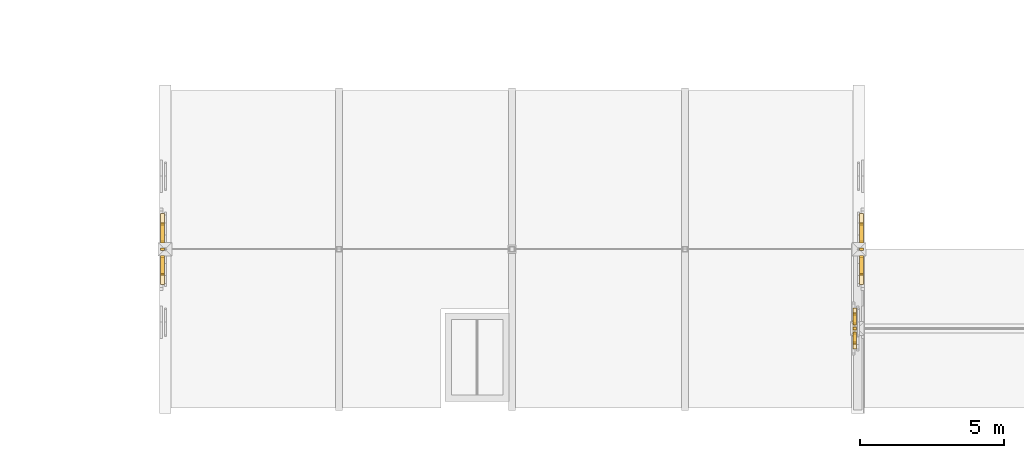
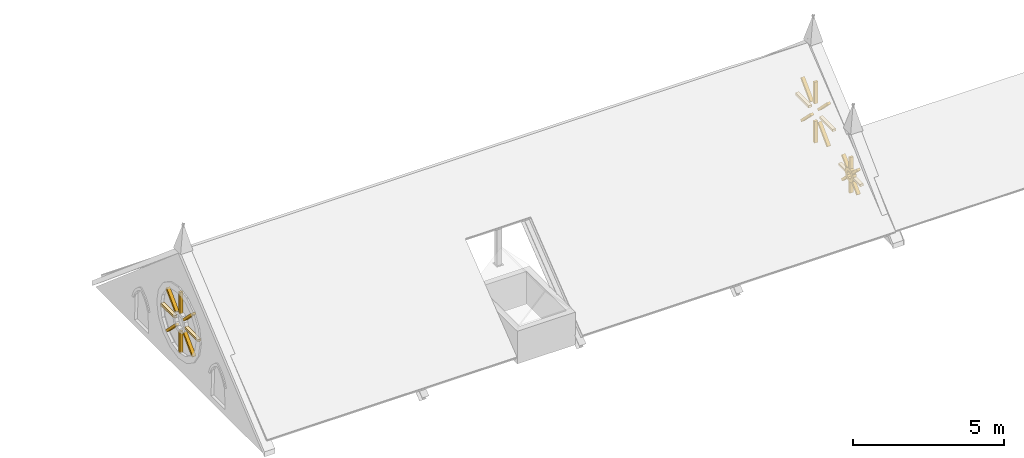
# One storey, part 106 of 108: 25 coverings.
"""IFC4 building model written with IfcOpenShell, lengths in metres."""

import ifcopenshell
import ifcopenshell.guid

model = None  # the IFC model being written
_history = None  # IfcOwnerHistory: only IFC2X3 demands one
_inside = {}  # id of a spatial element -> (the spatial element, [elements in it])
_under = {}  # id of a project, library or spatial element -> (it, [spatial elements below it])
_declared = {}  # id of a project -> (the project, [libraries it declares])
_typed = {}  # id of a type object -> (the type object, [elements of that type])
_made_of = {}  # id of a material, layer set ... -> (it, [elements and type objects made of it])


def new_model(schema):
    """Start an empty IFC model of exactly this schema.

    Asked for "IFC4X3", IfcOpenShell would pick the latest addendum, in which some entities
    have other attributes; the version numbers below select the first issue.
    IFC2X3 requires an IfcOwnerHistory on every rooted entity: one is made here for all.
    """
    global model, _history
    if schema == "IFC4X3":
        model = ifcopenshell.file(schema_version=(4, 3, 0, 0))
    else:
        model = ifcopenshell.file(schema=schema)
    _inside.clear()
    _under.clear()
    _declared.clear()
    _typed.clear()
    _made_of.clear()
    _history = None
    if model.schema == "IFC2X3":
        org = make("IfcOrganization", Name="unknown")
        user = make(
            "IfcPersonAndOrganization",
            ThePerson=make("IfcPerson", FamilyName="unknown"),
            TheOrganization=org,
        )
        app = make(
            "IfcApplication",
            ApplicationDeveloper=org,
            Version="unknown",
            ApplicationFullName="unknown",
            ApplicationIdentifier="unknown",
        )
        _history = make(
            "IfcOwnerHistory",
            OwningUser=user,
            OwningApplication=app,
            ChangeAction="ADDED",
            CreationDate=0,
        )
    return model


def make(cls, **values):
    """One entity of the class cls with the attributes given. An attribute that is None is left unset."""
    return model.create_entity(
        cls, **{name: value for name, value in values.items() if value is not None}
    )


def rooted(cls, **values):
    """An entity with a GlobalId (a new one), such as an element, a storey or a relation."""
    return make(cls, GlobalId=ifcopenshell.guid.new(), OwnerHistory=_history, **values)


def si_unit(unit_type, name, prefix=None):
    """IfcSIUnit, for example si_unit("LENGTHUNIT", "METRE", prefix="MILLI")."""
    return make("IfcSIUnit", UnitType=unit_type, Prefix=prefix, Name=name)


def assignment(units):
    """IfcUnitAssignment: the units of a project."""
    return None if units is None else make("IfcUnitAssignment", Units=units)


def point(xyz):
    """IfcCartesianPoint."""
    return None if xyz is None else make("IfcCartesianPoint", Coordinates=xyz)


def direction(xyz):
    """IfcDirection."""
    return None if xyz is None else make("IfcDirection", DirectionRatios=xyz)


def frame(location, z_axis=None, x_axis=None):
    """IfcAxis2Placement3D, a coordinate frame: its origin and axes. An axis left out is left unset."""
    return make(
        "IfcAxis2Placement3D",
        Location=point(location),
        Axis=direction(z_axis),
        RefDirection=direction(x_axis),
    )


def origin():
    """The frame at (0, 0, 0) with its axes left unset."""
    return frame((0.0, 0.0, 0.0))


def place(relative_to, where):
    """IfcLocalPlacement: puts the frame where relative to a parent placement (None: the world)."""
    return make(
        "IfcLocalPlacement", PlacementRelTo=relative_to, RelativePlacement=where
    )


def context(
    kind, dimensions, precision=None, world=None, true_north=None, identifier=None
):
    """IfcGeometricRepresentationContext, for example the 3D "Model" context."""
    return make(
        "IfcGeometricRepresentationContext",
        ContextIdentifier=identifier,
        ContextType=kind,
        CoordinateSpaceDimension=dimensions,
        Precision=precision,
        WorldCoordinateSystem=world,
        TrueNorth=true_north,
    )


def subcontext(parent, identifier, kind, view, scale=None):
    """IfcGeometricRepresentationSubContext, for example "Body" below "Model"."""
    return make(
        "IfcGeometricRepresentationSubContext",
        ContextIdentifier=identifier,
        ContextType=kind,
        ParentContext=parent,
        TargetScale=scale,
        TargetView=view,
    )


def project(units=None, contexts=None):
    """IfcProject with its units and contexts."""
    return rooted(
        "IfcProject",
        Name="project",
        RepresentationContexts=contexts,
        UnitsInContext=assignment(units),
    )


def spatial(cls, under=None, at=None, **own):
    """A site, building, storey or space (cls), placed at a placement, below another one or the project."""
    s = rooted(cls, ObjectPlacement=at, **own)
    if under is not None:
        _under.setdefault(under.id(), (under, []))[1].append(s)
    return s


def polyline(points):
    """IfcPolyline through the points."""
    return make("IfcPolyline", Points=[point(p) for p in points])


def outline(outer, holes=None, kind="AREA"):
    """IfcArbitraryClosedProfileDef: a profile drawn as a closed curve; with holes, ...WithVoids."""
    if holes is None:
        return make("IfcArbitraryClosedProfileDef", ProfileType=kind, OuterCurve=outer)
    return make(
        "IfcArbitraryProfileDefWithVoids",
        ProfileType=kind,
        OuterCurve=outer,
        InnerCurves=holes,
    )


def extrude(swept, where, along, depth):
    """IfcExtrudedAreaSolid: the profile swept, set in the frame where, extruded along a direction by depth."""
    return make(
        "IfcExtrudedAreaSolid",
        SweptArea=swept,
        Position=where,
        ExtrudedDirection=direction(along),
        Depth=depth,
    )


def shape(context_of_items, identifier, shape_type, items):
    """IfcShapeRepresentation: the items that make up one representation, for example the "Body"."""
    return make(
        "IfcShapeRepresentation",
        ContextOfItems=context_of_items,
        RepresentationIdentifier=identifier,
        RepresentationType=shape_type,
        Items=items,
    )


def material(Name=None, Category=None):
    """IfcMaterial."""
    return make("IfcMaterial", Name=Name, Category=Category)


def made_of(thing, what):
    """Note that an element or type object is made of a material, layer set ...; save() writes the relation."""
    if what is not None:
        _made_of.setdefault(what.id(), (what, []))[1].append(thing)
    return thing


def type_object(cls, material=None, **own):
    """A type object (cls), such as IfcWallType, which elements share."""
    return made_of(rooted(cls, **own), material)


def element(
    cls,
    number,
    at=None,
    inside=None,
    cuts=None,
    type_object=None,
    material=None,
    context=None,
    identifier="Body",
    shape_type=None,
    held_by="IfcProductDefinitionShape",
    body=None,
    shapes=None,
    **own,
):
    """One element of the class cls, such as IfcWall. Its Tag is "e" and its number.

    at: its placement. inside: the storey or other place that contains it. cuts: it is an
    opening in that element (IfcRelVoidsElement). A single representation is given by context,
    identifier, shape_type and body (its items); several are given by shapes. held_by: the class
    of the entity that holds the representations. save() writes the other relations.
    """
    e = rooted(cls, Tag="e%d" % number, ObjectPlacement=at, **own)
    if body is not None:
        shapes = [shape(context, identifier, shape_type, body)]
    if shapes is not None:
        e.Representation = make(held_by, Representations=shapes)
    if inside is not None:
        _inside.setdefault(inside.id(), (inside, []))[1].append(e)
    if cuts is not None:
        rooted(
            "IfcRelVoidsElement", RelatingBuildingElement=cuts, RelatedOpeningElement=e
        )
    if type_object is not None:
        _typed.setdefault(type_object.id(), (type_object, []))[1].append(e)
    return made_of(e, material)


def aggregate(whole, parts):
    """IfcRelAggregates: a whole, such as a stair, and the parts it consists of."""
    return rooted("IfcRelAggregates", RelatingObject=whole, RelatedObjects=parts)


def save(model, path):
    """Write the relations noted so far, then the file.

    IfcRelAggregates (storeys below a building ...), IfcRelContainedInSpatialStructure (elements
    in a storey), IfcRelDefinesByType, IfcRelAssociatesMaterial and IfcRelDeclares: one each for
    every whole, place, type object, material and project.
    """
    for whole, parts in _under.values():
        aggregate(whole, parts)
    for where, things in _inside.values():
        rooted(
            "IfcRelContainedInSpatialStructure",
            RelatedElements=things,
            RelatingStructure=where,
        )
    for kind, things in _typed.values():
        rooted("IfcRelDefinesByType", RelatedObjects=things, RelatingType=kind)
    for what, things in _made_of.values():
        rooted("IfcRelAssociatesMaterial", RelatedObjects=things, RelatingMaterial=what)
    for by, libraries in _declared.values():
        rooted("IfcRelDeclares", RelatingContext=by, RelatedDefinitions=libraries)
    model.write(path)


model = new_model("IFC4")

# Units and contexts
model_context = context("Model", 3, precision=1e-05, world=origin(), true_north=direction((0.0, 1.0)))
body_context = subcontext(model_context, "Body", "Model", "MODEL_VIEW")
ifc_project = project(units=[si_unit("LENGTHUNIT", "METRE"), si_unit("AREAUNIT", "SQUARE_METRE"), si_unit("VOLUMEUNIT", "CUBIC_METRE"), si_unit("PLANEANGLEUNIT", "RADIAN"), si_unit("MASSUNIT", "GRAM", prefix="KILO")], contexts=[model_context])

# Site, building, storey
site_placement = place(None, origin())
site = spatial("IfcSite", under=ifc_project, at=site_placement, CompositionType="ELEMENT")
building_placement = place(site_placement, origin())
building = spatial("IfcBuilding", under=site, at=building_placement, Name="Cumevento Cable Car Station", CompositionType="ELEMENT")
storey_placement = place(building_placement, frame((0.0, 0.0, 13.5)))
storey = spatial("IfcBuildingStorey", under=building, at=storey_placement, Name="L04", CompositionType="ELEMENT", Elevation=13.5)

# Coverings
ifc_material = material(Name="Gnaisse Facoidal Stone Ashlar 85 MPa", Category="masonry")
covering_type = type_object("IfcCoveringType", Name="Gnaisse Ashlar Cladding CV-CL01", PredefinedType="CLADDING", material=ifc_material)
placement_1 = place(storey_placement, frame((22.0, 4.0, 0.0), z_axis=(0.0, 0.0, 1.0), x_axis=(0.0, 1.0, 0.0)))
element("IfcCovering", 1, at=placement_1, inside=storey, type_object=covering_type, Name="Gothic Rose Stone Tracery Mullion wing_B_V1a_W #1", PredefinedType="CLADDING", context=body_context, shape_type="SweptSolid", body=[
    extrude(outline(polyline([(5.85498046875, 1.943359375), (6.72998046875, 1.943359375), (6.72998046875, 1.853271484375), (5.85498046875, 1.853271484375), (5.85498046875, 1.943359375)])), frame((0.0, 0.18505859375, 0.0), z_axis=(0.0, -1.0, 0.0), x_axis=(1.0, 0.0, 0.0)), (0.0, 0.0, 1.0), 0.1298828125),
])
element("IfcCovering", 2, at=placement_1, inside=storey, type_object=covering_type, Name="Gothic Rose Stone Tracery Mullion wing_B_V1a_W #2", PredefinedType="CLADDING", context=body_context, shape_type="SweptSolid", body=[
    extrude(outline(polyline([(5.71923828125, 2.18115234375), (6.337890625, 2.800048828125), (6.401611328125, 2.736328125), (5.782958984375, 2.117431640625), (5.71923828125, 2.18115234375)])), frame((0.0, 0.18505859375, 0.0), z_axis=(0.0, -1.0, 0.0), x_axis=(1.0, 0.0, 0.0)), (0.0, 0.0, 1.0), 0.1298828125),
])
element("IfcCovering", 3, at=placement_1, inside=storey, type_object=covering_type, Name="Gothic Rose Stone Tracery Mullion wing_B_V1a_W #3", PredefinedType="CLADDING", context=body_context, shape_type="SweptSolid", body=[
    extrude(outline(polyline([(5.455078125, 2.25341796875), (5.455078125, 3.12841796875), (5.544921875, 3.12841796875), (5.544921875, 2.25341796875), (5.455078125, 2.25341796875)])), frame((0.0, 0.18505859375, 0.0), z_axis=(0.0, -1.0, 0.0), x_axis=(1.0, 0.0, 0.0)), (0.0, 0.0, 1.0), 0.1298828125),
])
element("IfcCovering", 4, at=placement_1, inside=storey, type_object=covering_type, Name="Gothic Rose Stone Tracery Mullion wing_B_V1a_W #4", PredefinedType="CLADDING", context=body_context, shape_type="SweptSolid", body=[
    extrude(outline(polyline([(5.217041015625, 2.117431640625), (4.598388671875, 2.736328125), (4.662109375, 2.800048828125), (5.28076171875, 2.18115234375), (5.217041015625, 2.117431640625)])), frame((0.0, 0.18505859375, 0.0), z_axis=(0.0, -1.0, 0.0), x_axis=(1.0, 0.0, 0.0)), (0.0, 0.0, 1.0), 0.1298828125),
])
element("IfcCovering", 5, at=placement_1, inside=storey, type_object=covering_type, Name="Gothic Rose Stone Tracery Mullion wing_B_V1a_W #5", PredefinedType="CLADDING", context=body_context, shape_type="SweptSolid", body=[
    extrude(outline(polyline([(5.14501953125, 1.853271484375), (4.27001953125, 1.853271484375), (4.27001953125, 1.943359375), (5.14501953125, 1.943359375), (5.14501953125, 1.853271484375)])), frame((0.0, 0.18505859375, 0.0), z_axis=(0.0, -1.0, 0.0), x_axis=(1.0, 0.0, 0.0)), (0.0, 0.0, 1.0), 0.1298828125),
])
element("IfcCovering", 6, at=placement_1, inside=storey, type_object=covering_type, Name="Gothic Rose Stone Tracery Mullion wing_B_V1a_W #6", PredefinedType="CLADDING", context=body_context, shape_type="SweptSolid", body=[
    extrude(outline(polyline([(5.28076171875, 1.615478515625), (4.662109375, 0.99658203125), (4.598388671875, 1.060302734375), (5.217041015625, 1.67919921875), (5.28076171875, 1.615478515625)])), frame((0.0, 0.18505859375, 0.0), z_axis=(0.0, -1.0, 0.0), x_axis=(1.0, 0.0, 0.0)), (0.0, 0.0, 1.0), 0.1298828125),
])
element("IfcCovering", 7, at=placement_1, inside=storey, type_object=covering_type, Name="Gothic Rose Stone Tracery Mullion wing_B_V1a_W #7", PredefinedType="CLADDING", context=body_context, shape_type="SweptSolid", body=[
    extrude(outline(polyline([(5.544921875, 1.543212890625), (5.544921875, 0.668212890625), (5.455078125, 0.668212890625), (5.455078125, 1.543212890625), (5.544921875, 1.543212890625)])), frame((0.0, 0.18505859375, 0.0), z_axis=(0.0, -1.0, 0.0), x_axis=(1.0, 0.0, 0.0)), (0.0, 0.0, 1.0), 0.1298828125),
])
element("IfcCovering", 8, at=placement_1, inside=storey, type_object=covering_type, Name="Gothic Rose Stone Tracery Mullion wing_B_V1a_W #8", PredefinedType="CLADDING", context=body_context, shape_type="SweptSolid", body=[
    extrude(outline(polyline([(5.782958984375, 1.67919921875), (6.401611328125, 1.060302734375), (6.337890625, 0.99658203125), (5.71923828125, 1.615478515625), (5.782958984375, 1.67919921875)])), frame((0.0, 0.18505859375, 0.0), z_axis=(0.0, -1.0, 0.0), x_axis=(1.0, 0.0, 0.0)), (0.0, 0.0, 1.0), 0.1298828125),
])
placement_2 = place(storey_placement, frame((46.0, 15.0, 0.0), z_axis=(0.0, 0.0, 1.0), x_axis=(0.0, -1.0, 0.0)))
element("IfcCovering", 9, at=placement_2, inside=storey, type_object=covering_type, Name="Gothic Rose Stone Tracery Mullion wing_B_V1a_E #1", PredefinedType="CLADDING", context=body_context, shape_type="SweptSolid", body=[
    extrude(outline(polyline([(5.85498046875, 1.943359375), (6.72998046875, 1.943359375), (6.72998046875, 1.853271484375), (5.85498046875, 1.853271484375), (5.85498046875, 1.943359375)])), frame((0.0, 0.18505859375, 0.0), z_axis=(0.0, -1.0, 0.0), x_axis=(1.0, 0.0, 0.0)), (0.0, 0.0, 1.0), 0.1298828125),
])
element("IfcCovering", 10, at=placement_2, inside=storey, type_object=covering_type, Name="Gothic Rose Stone Tracery Mullion wing_B_V1a_E #2", PredefinedType="CLADDING", context=body_context, shape_type="SweptSolid", body=[
    extrude(outline(polyline([(5.71923828125, 2.18115234375), (6.337890625, 2.800048828125), (6.401611328125, 2.736328125), (5.782958984375, 2.117431640625), (5.71923828125, 2.18115234375)])), frame((0.0, 0.18505859375, 0.0), z_axis=(0.0, -1.0, 0.0), x_axis=(1.0, 0.0, 0.0)), (0.0, 0.0, 1.0), 0.1298828125),
])
element("IfcCovering", 11, at=placement_2, inside=storey, type_object=covering_type, Name="Gothic Rose Stone Tracery Mullion wing_B_V1a_E #3", PredefinedType="CLADDING", context=body_context, shape_type="SweptSolid", body=[
    extrude(outline(polyline([(5.455078125, 2.25341796875), (5.455078125, 3.12841796875), (5.544921875, 3.12841796875), (5.544921875, 2.25341796875), (5.455078125, 2.25341796875)])), frame((0.0, 0.18505859375, 0.0), z_axis=(0.0, -1.0, 0.0), x_axis=(1.0, 0.0, 0.0)), (0.0, 0.0, 1.0), 0.1298828125),
])
element("IfcCovering", 12, at=placement_2, inside=storey, type_object=covering_type, Name="Gothic Rose Stone Tracery Mullion wing_B_V1a_E #4", PredefinedType="CLADDING", context=body_context, shape_type="SweptSolid", body=[
    extrude(outline(polyline([(5.217041015625, 2.117431640625), (4.598388671875, 2.736328125), (4.662109375, 2.800048828125), (5.28076171875, 2.18115234375), (5.217041015625, 2.117431640625)])), frame((0.0, 0.18505859375, 0.0), z_axis=(0.0, -1.0, 0.0), x_axis=(1.0, 0.0, 0.0)), (0.0, 0.0, 1.0), 0.1298828125),
])
element("IfcCovering", 13, at=placement_2, inside=storey, type_object=covering_type, Name="Gothic Rose Stone Tracery Mullion wing_B_V1a_E #5", PredefinedType="CLADDING", context=body_context, shape_type="SweptSolid", body=[
    extrude(outline(polyline([(5.14501953125, 1.853271484375), (4.27001953125, 1.853271484375), (4.27001953125, 1.943359375), (5.14501953125, 1.943359375), (5.14501953125, 1.853271484375)])), frame((0.0, 0.18505859375, 0.0), z_axis=(0.0, -1.0, 0.0), x_axis=(1.0, 0.0, 0.0)), (0.0, 0.0, 1.0), 0.1298828125),
])
element("IfcCovering", 14, at=placement_2, inside=storey, type_object=covering_type, Name="Gothic Rose Stone Tracery Mullion wing_B_V1a_E #6", PredefinedType="CLADDING", context=body_context, shape_type="SweptSolid", body=[
    extrude(outline(polyline([(5.28076171875, 1.615478515625), (4.662109375, 0.99658203125), (4.598388671875, 1.060302734375), (5.217041015625, 1.67919921875), (5.28076171875, 1.615478515625)])), frame((0.0, 0.18505859375, 0.0), z_axis=(0.0, -1.0, 0.0), x_axis=(1.0, 0.0, 0.0)), (0.0, 0.0, 1.0), 0.1298828125),
])
element("IfcCovering", 15, at=placement_2, inside=storey, type_object=covering_type, Name="Gothic Rose Stone Tracery Mullion wing_B_V1a_E #7", PredefinedType="CLADDING", context=body_context, shape_type="SweptSolid", body=[
    extrude(outline(polyline([(5.544921875, 1.543212890625), (5.544921875, 0.668212890625), (5.455078125, 0.668212890625), (5.455078125, 1.543212890625), (5.544921875, 1.543212890625)])), frame((0.0, 0.18505859375, 0.0), z_axis=(0.0, -1.0, 0.0), x_axis=(1.0, 0.0, 0.0)), (0.0, 0.0, 1.0), 0.1298828125),
])
element("IfcCovering", 16, at=placement_2, inside=storey, type_object=covering_type, Name="Gothic Rose Stone Tracery Mullion wing_B_V1a_E #8", PredefinedType="CLADDING", context=body_context, shape_type="SweptSolid", body=[
    extrude(outline(polyline([(5.782958984375, 1.67919921875), (6.401611328125, 1.060302734375), (6.337890625, 0.99658203125), (5.71923828125, 1.615478515625), (5.782958984375, 1.67919921875)])), frame((0.0, 0.18505859375, 0.0), z_axis=(0.0, -1.0, 0.0), x_axis=(1.0, 0.0, 0.0)), (0.0, 0.0, 1.0), 0.1298828125),
])
placement_3 = place(storey_placement, frame((46.0, 4.0, 0.0), z_axis=(0.0, 0.0, 1.0), x_axis=(0.0, 1.0, 0.0)))
element("IfcCovering", 17, at=placement_3, inside=storey, type_object=covering_type, Name="Gothic Rose Central Stone Oculus Hub wing_B_V1b_W", PredefinedType="CLADDING", context=body_context, shape_type="SweptSolid", body=[
    extrude(outline(polyline([(3.021484375, 1.119384765625), (2.985107421875, 1.255126953125), (2.8857421875, 1.3544921875), (2.75, 1.390869140625), (2.6142578125, 1.3544921875), (2.514892578125, 1.255126953125), (2.478515625, 1.119384765625), (2.514892578125, 0.9833984375), (2.6142578125, 0.884033203125), (2.75, 0.84765625), (2.8857421875, 0.884033203125), (2.985107421875, 0.9833984375), (3.021484375, 1.119384765625)]), holes=[polyline([(2.901611328125, 1.119384765625), (2.88134765625, 1.195068359375), (2.82568359375, 1.25048828125), (2.75, 1.27099609375), (2.67431640625, 1.25048828125), (2.61865234375, 1.195068359375), (2.598388671875, 1.119384765625), (2.61865234375, 1.04345703125), (2.67431640625, 0.988037109375), (2.75, 0.9677734375), (2.82568359375, 0.988037109375), (2.88134765625, 1.04345703125), (2.901611328125, 1.119384765625)])]), frame((0.0, 0.18994140625, 0.0), z_axis=(0.0, -1.0, 0.0), x_axis=(1.0, 0.0, 0.0)), (0.0, 0.0, 1.0), 0.139892578125),
])
element("IfcCovering", 18, at=placement_3, inside=storey, type_object=covering_type, Name="Gothic Rose Stone Tracery Mullion wing_B_V1b_W #1", PredefinedType="CLADDING", context=body_context, shape_type="SweptSolid", body=[
    extrude(outline(polyline([(2.9716796875, 1.164306640625), (3.467041015625, 1.164306640625), (3.467041015625, 1.07421875), (2.9716796875, 1.07421875), (2.9716796875, 1.164306640625)])), frame((0.0, 0.18505859375, 0.0), z_axis=(0.0, -1.0, 0.0), x_axis=(1.0, 0.0, 0.0)), (0.0, 0.0, 1.0), 0.1298828125),
])
element("IfcCovering", 19, at=placement_3, inside=storey, type_object=covering_type, Name="Gothic Rose Stone Tracery Mullion wing_B_V1b_W #2", PredefinedType="CLADDING", context=body_context, shape_type="SweptSolid", body=[
    extrude(outline(polyline([(2.874755859375, 1.307861328125), (3.225341796875, 1.658203125), (3.288818359375, 1.594482421875), (2.9384765625, 1.244140625), (2.874755859375, 1.307861328125)])), frame((0.0, 0.18505859375, 0.0), z_axis=(0.0, -1.0, 0.0), x_axis=(1.0, 0.0, 0.0)), (0.0, 0.0, 1.0), 0.1298828125),
])
element("IfcCovering", 20, at=placement_3, inside=storey, type_object=covering_type, Name="Gothic Rose Stone Tracery Mullion wing_B_V1b_W #3", PredefinedType="CLADDING", context=body_context, shape_type="SweptSolid", body=[
    extrude(outline(polyline([(2.705078125, 1.3408203125), (2.705078125, 1.83642578125), (2.794921875, 1.83642578125), (2.794921875, 1.3408203125), (2.705078125, 1.3408203125)])), frame((0.0, 0.18505859375, 0.0), z_axis=(0.0, -1.0, 0.0), x_axis=(1.0, 0.0, 0.0)), (0.0, 0.0, 1.0), 0.1298828125),
])
element("IfcCovering", 21, at=placement_3, inside=storey, type_object=covering_type, Name="Gothic Rose Stone Tracery Mullion wing_B_V1b_W #4", PredefinedType="CLADDING", context=body_context, shape_type="SweptSolid", body=[
    extrude(outline(polyline([(2.5615234375, 1.244140625), (2.211181640625, 1.594482421875), (2.274658203125, 1.658203125), (2.625244140625, 1.307861328125), (2.5615234375, 1.244140625)])), frame((0.0, 0.18505859375, 0.0), z_axis=(0.0, -1.0, 0.0), x_axis=(1.0, 0.0, 0.0)), (0.0, 0.0, 1.0), 0.1298828125),
])
element("IfcCovering", 22, at=placement_3, inside=storey, type_object=covering_type, Name="Gothic Rose Stone Tracery Mullion wing_B_V1b_W #5", PredefinedType="CLADDING", context=body_context, shape_type="SweptSolid", body=[
    extrude(outline(polyline([(2.5283203125, 1.07421875), (2.032958984375, 1.07421875), (2.032958984375, 1.164306640625), (2.5283203125, 1.164306640625), (2.5283203125, 1.07421875)])), frame((0.0, 0.18505859375, 0.0), z_axis=(0.0, -1.0, 0.0), x_axis=(1.0, 0.0, 0.0)), (0.0, 0.0, 1.0), 0.1298828125),
])
element("IfcCovering", 23, at=placement_3, inside=storey, type_object=covering_type, Name="Gothic Rose Stone Tracery Mullion wing_B_V1b_W #6", PredefinedType="CLADDING", context=body_context, shape_type="SweptSolid", body=[
    extrude(outline(polyline([(2.625244140625, 0.9306640625), (2.274658203125, 0.580322265625), (2.211181640625, 0.64404296875), (2.5615234375, 0.994384765625), (2.625244140625, 0.9306640625)])), frame((0.0, 0.18505859375, 0.0), z_axis=(0.0, -1.0, 0.0), x_axis=(1.0, 0.0, 0.0)), (0.0, 0.0, 1.0), 0.1298828125),
])
element("IfcCovering", 24, at=placement_3, inside=storey, type_object=covering_type, Name="Gothic Rose Stone Tracery Mullion wing_B_V1b_W #7", PredefinedType="CLADDING", context=body_context, shape_type="SweptSolid", body=[
    extrude(outline(polyline([(2.794921875, 0.897705078125), (2.794921875, 0.402099609375), (2.705078125, 0.402099609375), (2.705078125, 0.897705078125), (2.794921875, 0.897705078125)])), frame((0.0, 0.18505859375, 0.0), z_axis=(0.0, -1.0, 0.0), x_axis=(1.0, 0.0, 0.0)), (0.0, 0.0, 1.0), 0.1298828125),
])
element("IfcCovering", 25, at=placement_3, inside=storey, type_object=covering_type, Name="Gothic Rose Stone Tracery Mullion wing_B_V1b_W #8", PredefinedType="CLADDING", context=body_context, shape_type="SweptSolid", body=[
    extrude(outline(polyline([(2.9384765625, 0.994384765625), (3.288818359375, 0.64404296875), (3.225341796875, 0.580322265625), (2.874755859375, 0.9306640625), (2.9384765625, 0.994384765625)])), frame((0.0, 0.18505859375, 0.0), z_axis=(0.0, -1.0, 0.0), x_axis=(1.0, 0.0, 0.0)), (0.0, 0.0, 1.0), 0.1298828125),
])

save(model, "model.ifc")
